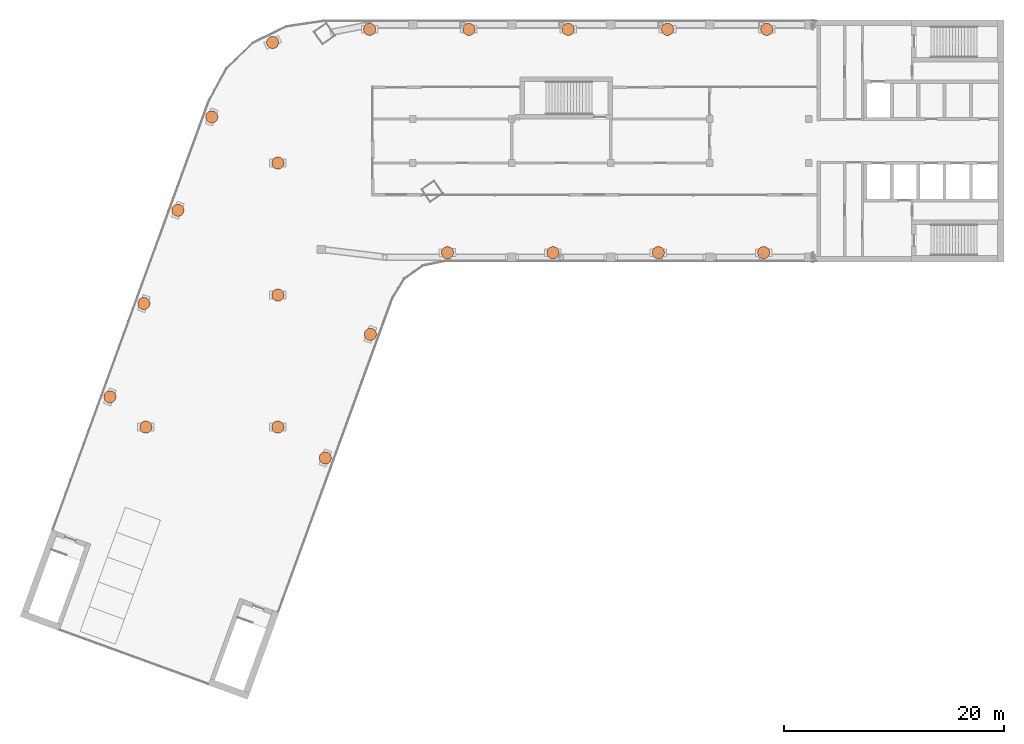
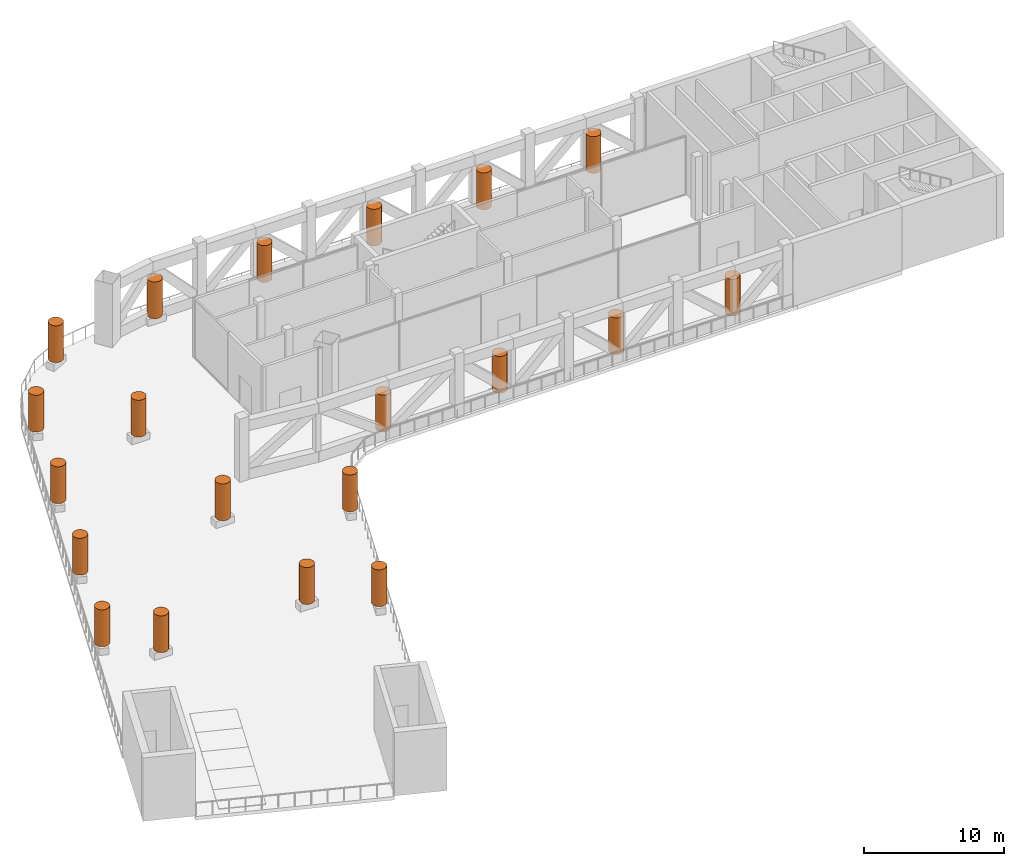
# One storey, part 14 of 14: 20 geographic elements.
"""IFC4 building model written with IfcOpenShell, lengths in metres."""

import ifcopenshell
import ifcopenshell.guid

model = None  # the IFC model being written
_history = None  # IfcOwnerHistory: only IFC2X3 demands one
_inside = {}  # id of a spatial element -> (the spatial element, [elements in it])
_under = {}  # id of a project, library or spatial element -> (it, [spatial elements below it])
_declared = {}  # id of a project -> (the project, [libraries it declares])
_typed = {}  # id of a type object -> (the type object, [elements of that type])
_made_of = {}  # id of a material, layer set ... -> (it, [elements and type objects made of it])


def new_model(schema):
    """Start an empty IFC model of exactly this schema.

    Asked for "IFC4X3", IfcOpenShell would pick the latest addendum, in which some entities
    have other attributes; the version numbers below select the first issue.
    IFC2X3 requires an IfcOwnerHistory on every rooted entity: one is made here for all.
    """
    global model, _history
    if schema == "IFC4X3":
        model = ifcopenshell.file(schema_version=(4, 3, 0, 0))
    else:
        model = ifcopenshell.file(schema=schema)
    _inside.clear()
    _under.clear()
    _declared.clear()
    _typed.clear()
    _made_of.clear()
    _history = None
    if model.schema == "IFC2X3":
        org = make("IfcOrganization", Name="unknown")
        user = make(
            "IfcPersonAndOrganization",
            ThePerson=make("IfcPerson", FamilyName="unknown"),
            TheOrganization=org,
        )
        app = make(
            "IfcApplication",
            ApplicationDeveloper=org,
            Version="unknown",
            ApplicationFullName="unknown",
            ApplicationIdentifier="unknown",
        )
        _history = make(
            "IfcOwnerHistory",
            OwningUser=user,
            OwningApplication=app,
            ChangeAction="ADDED",
            CreationDate=0,
        )
    return model


def make(cls, **values):
    """One entity of the class cls with the attributes given. An attribute that is None is left unset."""
    return model.create_entity(
        cls, **{name: value for name, value in values.items() if value is not None}
    )


def rooted(cls, **values):
    """An entity with a GlobalId (a new one), such as an element, a storey or a relation."""
    return make(cls, GlobalId=ifcopenshell.guid.new(), OwnerHistory=_history, **values)


def si_unit(unit_type, name, prefix=None):
    """IfcSIUnit, for example si_unit("LENGTHUNIT", "METRE", prefix="MILLI")."""
    return make("IfcSIUnit", UnitType=unit_type, Prefix=prefix, Name=name)


def assignment(units):
    """IfcUnitAssignment: the units of a project."""
    return None if units is None else make("IfcUnitAssignment", Units=units)


def point(xyz):
    """IfcCartesianPoint."""
    return None if xyz is None else make("IfcCartesianPoint", Coordinates=xyz)


def direction(xyz):
    """IfcDirection."""
    return None if xyz is None else make("IfcDirection", DirectionRatios=xyz)


def frame(location, z_axis=None, x_axis=None):
    """IfcAxis2Placement3D, a coordinate frame: its origin and axes. An axis left out is left unset."""
    return make(
        "IfcAxis2Placement3D",
        Location=point(location),
        Axis=direction(z_axis),
        RefDirection=direction(x_axis),
    )


def frame_2d(location, x_axis=None):
    """IfcAxis2Placement2D, a coordinate frame in the plane: its origin and x axis."""
    return make(
        "IfcAxis2Placement2D", Location=point(location), RefDirection=direction(x_axis)
    )


def origin():
    """The frame at (0, 0, 0) with its axes left unset."""
    return frame((0.0, 0.0, 0.0))


def origin_2d():
    """The frame at (0, 0) in the plane with its x axis left unset."""
    return frame_2d((0.0, 0.0))


def place(relative_to, where):
    """IfcLocalPlacement: puts the frame where relative to a parent placement (None: the world)."""
    return make(
        "IfcLocalPlacement", PlacementRelTo=relative_to, RelativePlacement=where
    )


def context(
    kind, dimensions, precision=None, world=None, true_north=None, identifier=None
):
    """IfcGeometricRepresentationContext, for example the 3D "Model" context."""
    return make(
        "IfcGeometricRepresentationContext",
        ContextIdentifier=identifier,
        ContextType=kind,
        CoordinateSpaceDimension=dimensions,
        Precision=precision,
        WorldCoordinateSystem=world,
        TrueNorth=true_north,
    )


def subcontext(parent, identifier, kind, view, scale=None):
    """IfcGeometricRepresentationSubContext, for example "Body" below "Model"."""
    return make(
        "IfcGeometricRepresentationSubContext",
        ContextIdentifier=identifier,
        ContextType=kind,
        ParentContext=parent,
        TargetScale=scale,
        TargetView=view,
    )


def project(units=None, contexts=None):
    """IfcProject with its units and contexts."""
    return rooted(
        "IfcProject",
        Name="project",
        RepresentationContexts=contexts,
        UnitsInContext=assignment(units),
    )


def spatial(cls, under=None, at=None, **own):
    """A site, building, storey or space (cls), placed at a placement, below another one or the project."""
    s = rooted(cls, ObjectPlacement=at, **own)
    if under is not None:
        _under.setdefault(under.id(), (under, []))[1].append(s)
    return s


def profile(cls, at=None, kind="AREA", **sizes):
    """A parametric profile (cls). Its sizes go by their IFC names, for example OverallWidth=200.0."""
    return make(cls, ProfileType=kind, Position=at, **sizes)


def circle(**sizes):
    """IfcCircleProfileDef."""
    return profile("IfcCircleProfileDef", **sizes)


def extrude(swept, where, along, depth):
    """IfcExtrudedAreaSolid: the profile swept, set in the frame where, extruded along a direction by depth."""
    return make(
        "IfcExtrudedAreaSolid",
        SweptArea=swept,
        Position=where,
        ExtrudedDirection=direction(along),
        Depth=depth,
    )


def shape(context_of_items, identifier, shape_type, items):
    """IfcShapeRepresentation: the items that make up one representation, for example the "Body"."""
    return make(
        "IfcShapeRepresentation",
        ContextOfItems=context_of_items,
        RepresentationIdentifier=identifier,
        RepresentationType=shape_type,
        Items=items,
    )


def made_of(thing, what):
    """Note that an element or type object is made of a material, layer set ...; save() writes the relation."""
    if what is not None:
        _made_of.setdefault(what.id(), (what, []))[1].append(thing)
    return thing


def element(
    cls,
    number,
    at=None,
    inside=None,
    cuts=None,
    type_object=None,
    material=None,
    context=None,
    identifier="Body",
    shape_type=None,
    held_by="IfcProductDefinitionShape",
    body=None,
    shapes=None,
    **own,
):
    """One element of the class cls, such as IfcWall. Its Tag is "e" and its number.

    at: its placement. inside: the storey or other place that contains it. cuts: it is an
    opening in that element (IfcRelVoidsElement). A single representation is given by context,
    identifier, shape_type and body (its items); several are given by shapes. held_by: the class
    of the entity that holds the representations. save() writes the other relations.
    """
    e = rooted(cls, Tag="e%d" % number, ObjectPlacement=at, **own)
    if body is not None:
        shapes = [shape(context, identifier, shape_type, body)]
    if shapes is not None:
        e.Representation = make(held_by, Representations=shapes)
    if inside is not None:
        _inside.setdefault(inside.id(), (inside, []))[1].append(e)
    if cuts is not None:
        rooted(
            "IfcRelVoidsElement", RelatingBuildingElement=cuts, RelatedOpeningElement=e
        )
    if type_object is not None:
        _typed.setdefault(type_object.id(), (type_object, []))[1].append(e)
    return made_of(e, material)


def aggregate(whole, parts):
    """IfcRelAggregates: a whole, such as a stair, and the parts it consists of."""
    return rooted("IfcRelAggregates", RelatingObject=whole, RelatedObjects=parts)


def save(model, path):
    """Write the relations noted so far, then the file.

    IfcRelAggregates (storeys below a building ...), IfcRelContainedInSpatialStructure (elements
    in a storey), IfcRelDefinesByType, IfcRelAssociatesMaterial and IfcRelDeclares: one each for
    every whole, place, type object, material and project.
    """
    for whole, parts in _under.values():
        aggregate(whole, parts)
    for where, things in _inside.values():
        rooted(
            "IfcRelContainedInSpatialStructure",
            RelatedElements=things,
            RelatingStructure=where,
        )
    for kind, things in _typed.values():
        rooted("IfcRelDefinesByType", RelatedObjects=things, RelatingType=kind)
    for what, things in _made_of.values():
        rooted("IfcRelAssociatesMaterial", RelatedObjects=things, RelatingMaterial=what)
    for by, libraries in _declared.values():
        rooted("IfcRelDeclares", RelatingContext=by, RelatedDefinitions=libraries)
    model.write(path)


model = new_model("IFC4")

# Units and contexts
model_context = context("Model", 3, precision=1e-05, world=origin(), true_north=direction((0.0, 1.0)))
body_context = subcontext(model_context, "Body", "Model", "MODEL_VIEW")
ifc_project = project(units=[si_unit("LENGTHUNIT", "METRE"), si_unit("AREAUNIT", "SQUARE_METRE"), si_unit("VOLUMEUNIT", "CUBIC_METRE"), si_unit("PLANEANGLEUNIT", "RADIAN"), si_unit("MASSUNIT", "GRAM", prefix="KILO")], contexts=[model_context])

# Site, building, storey
site_placement = place(None, origin())
site = spatial("IfcSite", under=ifc_project, at=site_placement, CompositionType="ELEMENT")
building_placement = place(site_placement, origin())
building = spatial("IfcBuilding", under=site, at=building_placement, Name="Skarvind Civic Tower", CompositionType="ELEMENT")
storey_placement = place(building_placement, frame((0.0, 0.0, 236.0)))
storey = spatial("IfcBuildingStorey", under=building, at=storey_placement, Name="L56", CompositionType="ELEMENT", Elevation=236.0)

# Geographic elements
for number, where, z_axis, x_axis, name in (
    (1, (50.40625, 110.429443359375, 0.60009765625), (0.0, 0.0, 1.0), (1.0, 0.0, 0.0), "ROOF GARDEN TREE"),
    (2, (46.314208984375, 99.18701171875, 0.60009765625), (0.0, 0.0, 1.0), (1.0, 0.0, 0.0), "ROOF GARDEN TREE"),
    (3, (26.735595703125, 104.748291015625, 0.60009765625), (0.0, 0.0, 1.0), (1.0, 0.0, 0.0), "ROOF GARDEN TREE"),
    (4, (29.822021484375, 113.2275390625, 0.60009765625), (0.0, 0.0, 1.0), (1.0, 0.0, 0.0), "ROOF GARDEN TREE"),
    (5, (32.908203125, 121.706787109375, 0.60009765625), (0.0, 0.0, 1.0), (1.0, 0.0, 0.0), "ROOF GARDEN TREE"),
    (6, (35.994384765625, 130.18603515625, 0.60009765625), (0.0, 0.0, 1.0), (1.0, 0.0, 0.0), "ROOF GARDEN TREE"),
    (7, (41.523681640625, 136.956787109375, 0.60009765625), (0.0, 0.0, 1.0), (1.0, 0.0, 0.0), "ROOF GARDEN TREE"),
    (8, (50.344482421875, 138.14990234375, 0.60009765625), (0.0, 0.0, 1.0), (1.0, 0.0, 0.0), "ROOF GARDEN TREE"),
    (9, (59.367919921875, 138.14990234375, 0.60009765625), (0.0, 0.0, 1.0), (1.0, 0.0, 0.0), "ROOF GARDEN TREE"),
    (10, (68.391357421875, 138.14990234375, 0.60009765625), (0.0, 0.0, 1.0), (1.0, 0.0, 0.0), "ROOF GARDEN TREE"),
    (11, (77.414794921875, 138.14990234375, 0.60009765625), (0.0, 0.0, 1.0), (1.0, 0.0, 0.0), "ROOF GARDEN TREE"),
    (12, (86.438232421875, 138.14990234375, 0.60009765625), (0.0, 0.0, 1.0), (1.0, 0.0, 0.0), "ROOF GARDEN TREE"),
    (13, (86.159423828125, 117.85009765625, 0.60009765625), (0.0, 0.0, 1.0), (1.0, 0.0, 0.0), "ROOF GARDEN TREE"),
    (14, (76.578369140625, 117.85009765625, 0.60009765625), (0.0, 0.0, 1.0), (1.0, 0.0, 0.0), "ROOF GARDEN TREE"),
    (15, (66.997314453125, 117.85009765625, 0.60009765625), (0.0, 0.0, 1.0), (1.0, 0.0, 0.0), "ROOF GARDEN TREE"),
    (16, (57.416259765625, 117.85009765625, 0.60009765625), (0.0, 0.0, 1.0), (1.0, 0.0, 0.0), "ROOF GARDEN TREE"),
    (17, (30.0, 102.0, 0.60009765625), (0.0, 0.0, 1.0), (1.0, 0.0, 0.0), "ROOF GARDEN TREE"),
    (18, (42.0, 102.0, 0.60009765625), (0.0, 0.0, 1.0), (1.0, 0.0, 0.0), "ROOF GARDEN TREE"),
    (19, (42.0, 114.0, 0.60009765625), (0.0, 0.0, 1.0), (1.0, 0.0, 0.0), "ROOF GARDEN TREE"),
    (20, (42.0, 126.0, 0.60009765625), (0.0, 0.0, 1.0), (1.0, 0.0, 0.0), "ROOF GARDEN TREE"),
):
    element("IfcGeographicElement", number, at=place(storey_placement, frame(where, z_axis=z_axis, x_axis=x_axis)), inside=storey, Name=name, ObjectType="TREE", PredefinedType="USERDEFINED", context=body_context, shape_type="SweptSolid", body=[
        extrude(circle(Radius=0.550048828125, at=origin_2d()), origin(), (0.0, 0.0, 1.0), 3.199951171875),
    ])

save(model, "model.ifc")
